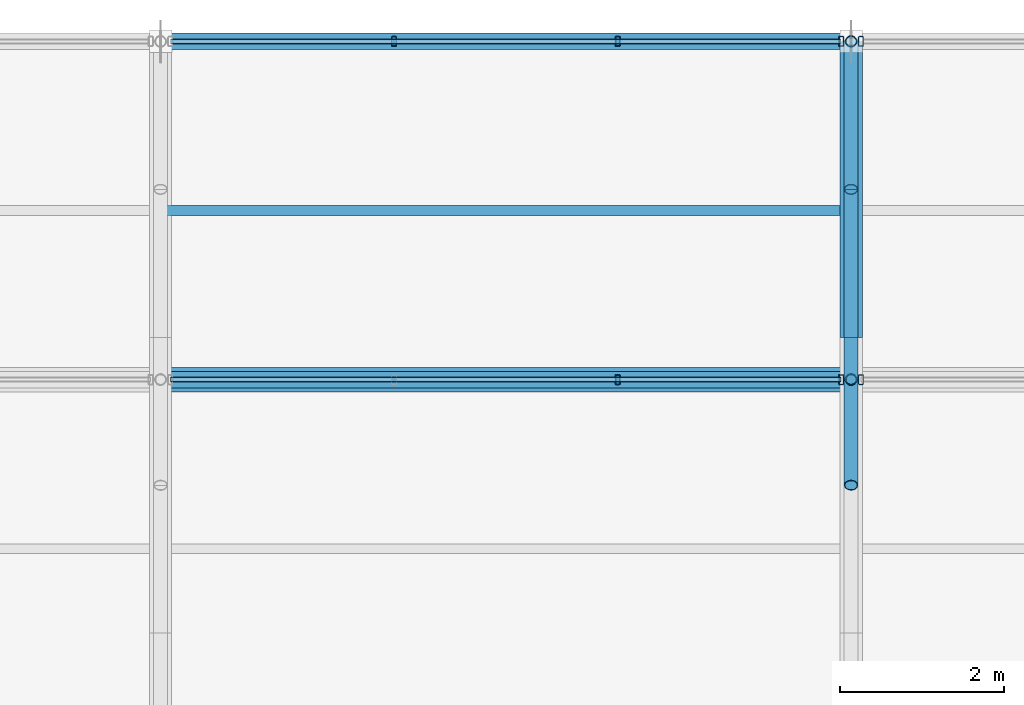
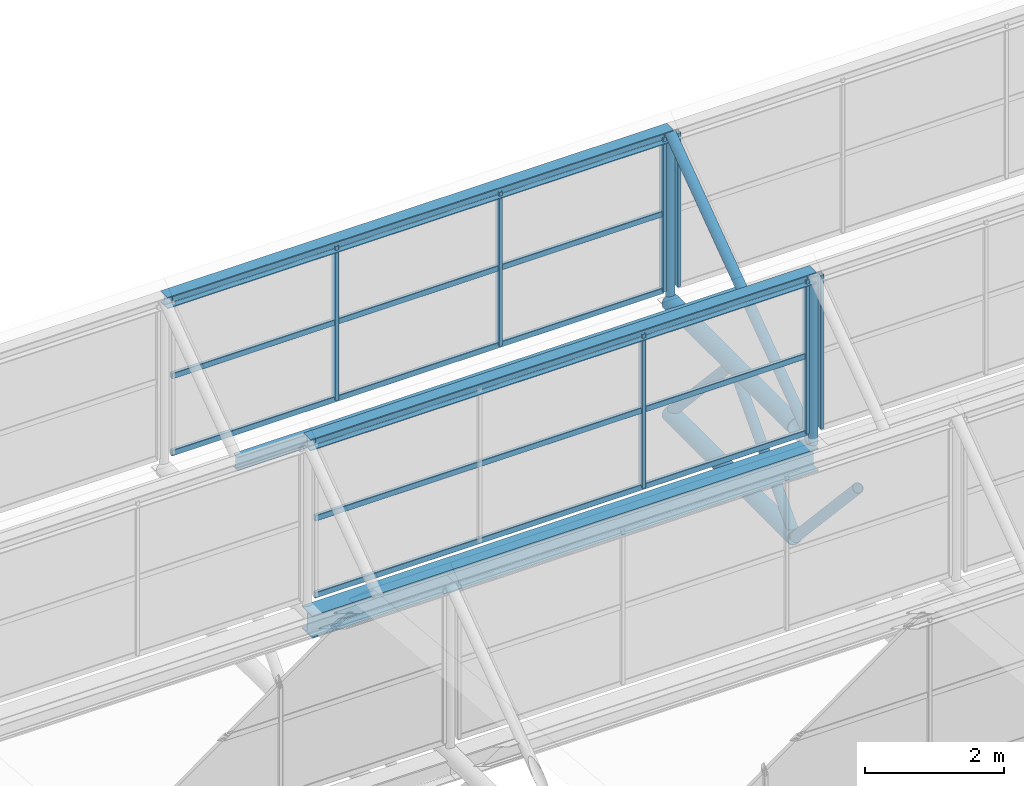
# One storey, part 69 of 134: 21 members, 4 beams, 4 elements without a shape of their own.
"""IFC4 building model written with IfcOpenShell, lengths in metres."""

import ifcopenshell
import ifcopenshell.guid

model = None  # the IFC model being written
_history = None  # IfcOwnerHistory: only IFC2X3 demands one
_inside = {}  # id of a spatial element -> (the spatial element, [elements in it])
_under = {}  # id of a project, library or spatial element -> (it, [spatial elements below it])
_declared = {}  # id of a project -> (the project, [libraries it declares])
_typed = {}  # id of a type object -> (the type object, [elements of that type])
_made_of = {}  # id of a material, layer set ... -> (it, [elements and type objects made of it])


def new_model(schema):
    """Start an empty IFC model of exactly this schema.

    Asked for "IFC4X3", IfcOpenShell would pick the latest addendum, in which some entities
    have other attributes; the version numbers below select the first issue.
    IFC2X3 requires an IfcOwnerHistory on every rooted entity: one is made here for all.
    """
    global model, _history
    if schema == "IFC4X3":
        model = ifcopenshell.file(schema_version=(4, 3, 0, 0))
    else:
        model = ifcopenshell.file(schema=schema)
    _inside.clear()
    _under.clear()
    _declared.clear()
    _typed.clear()
    _made_of.clear()
    _history = None
    if model.schema == "IFC2X3":
        org = make("IfcOrganization", Name="unknown")
        user = make(
            "IfcPersonAndOrganization",
            ThePerson=make("IfcPerson", FamilyName="unknown"),
            TheOrganization=org,
        )
        app = make(
            "IfcApplication",
            ApplicationDeveloper=org,
            Version="unknown",
            ApplicationFullName="unknown",
            ApplicationIdentifier="unknown",
        )
        _history = make(
            "IfcOwnerHistory",
            OwningUser=user,
            OwningApplication=app,
            ChangeAction="ADDED",
            CreationDate=0,
        )
    return model


def make(cls, **values):
    """One entity of the class cls with the attributes given. An attribute that is None is left unset."""
    return model.create_entity(
        cls, **{name: value for name, value in values.items() if value is not None}
    )


def rooted(cls, **values):
    """An entity with a GlobalId (a new one), such as an element, a storey or a relation."""
    return make(cls, GlobalId=ifcopenshell.guid.new(), OwnerHistory=_history, **values)


def si_unit(unit_type, name, prefix=None):
    """IfcSIUnit, for example si_unit("LENGTHUNIT", "METRE", prefix="MILLI")."""
    return make("IfcSIUnit", UnitType=unit_type, Prefix=prefix, Name=name)


def derived_unit(unit_type, elements):
    """IfcDerivedUnit: a product of units, each with its exponent."""
    return make(
        "IfcDerivedUnit",
        Elements=[
            make("IfcDerivedUnitElement", Unit=unit, Exponent=power)
            for unit, power in elements
        ],
        UnitType=unit_type,
    )


def assignment(units):
    """IfcUnitAssignment: the units of a project."""
    return None if units is None else make("IfcUnitAssignment", Units=units)


def point(xyz):
    """IfcCartesianPoint."""
    return None if xyz is None else make("IfcCartesianPoint", Coordinates=xyz)


def direction(xyz):
    """IfcDirection."""
    return None if xyz is None else make("IfcDirection", DirectionRatios=xyz)


def frame(location, z_axis=None, x_axis=None):
    """IfcAxis2Placement3D, a coordinate frame: its origin and axes. An axis left out is left unset."""
    return make(
        "IfcAxis2Placement3D",
        Location=point(location),
        Axis=direction(z_axis),
        RefDirection=direction(x_axis),
    )


def frame_2d(location, x_axis=None):
    """IfcAxis2Placement2D, a coordinate frame in the plane: its origin and x axis."""
    return make(
        "IfcAxis2Placement2D", Location=point(location), RefDirection=direction(x_axis)
    )


def origin():
    """The frame at (0, 0, 0) with its axes left unset."""
    return frame((0.0, 0.0, 0.0))


def origin_2d():
    """The frame at (0, 0) in the plane with its x axis left unset."""
    return frame_2d((0.0, 0.0))


def place(relative_to, where):
    """IfcLocalPlacement: puts the frame where relative to a parent placement (None: the world)."""
    return make(
        "IfcLocalPlacement", PlacementRelTo=relative_to, RelativePlacement=where
    )


def context(
    kind, dimensions, precision=None, world=None, true_north=None, identifier=None
):
    """IfcGeometricRepresentationContext, for example the 3D "Model" context."""
    return make(
        "IfcGeometricRepresentationContext",
        ContextIdentifier=identifier,
        ContextType=kind,
        CoordinateSpaceDimension=dimensions,
        Precision=precision,
        WorldCoordinateSystem=world,
        TrueNorth=true_north,
    )


def subcontext(parent, identifier, kind, view, scale=None):
    """IfcGeometricRepresentationSubContext, for example "Body" below "Model"."""
    return make(
        "IfcGeometricRepresentationSubContext",
        ContextIdentifier=identifier,
        ContextType=kind,
        ParentContext=parent,
        TargetScale=scale,
        TargetView=view,
    )


def project(units=None, contexts=None):
    """IfcProject with its units and contexts."""
    return rooted(
        "IfcProject",
        Name="project",
        RepresentationContexts=contexts,
        UnitsInContext=assignment(units),
    )


def spatial(cls, under=None, at=None, **own):
    """A site, building, storey or space (cls), placed at a placement, below another one or the project."""
    s = rooted(cls, ObjectPlacement=at, **own)
    if under is not None:
        _under.setdefault(under.id(), (under, []))[1].append(s)
    return s


def profile(cls, at=None, kind="AREA", **sizes):
    """A parametric profile (cls). Its sizes go by their IFC names, for example OverallWidth=200.0."""
    return make(cls, ProfileType=kind, Position=at, **sizes)


def hollow_rectangle(**sizes):
    """IfcRectangleHollowProfileDef."""
    return profile("IfcRectangleHollowProfileDef", **sizes)


def hollow_circle(**sizes):
    """IfcCircleHollowProfileDef."""
    return profile("IfcCircleHollowProfileDef", **sizes)


def i_section(**sizes):
    """IfcIShapeProfileDef."""
    return profile("IfcIShapeProfileDef", **sizes)


def extrude(swept, where, along, depth):
    """IfcExtrudedAreaSolid: the profile swept, set in the frame where, extruded along a direction by depth."""
    return make(
        "IfcExtrudedAreaSolid",
        SweptArea=swept,
        Position=where,
        ExtrudedDirection=direction(along),
        Depth=depth,
    )


def shape(context_of_items, identifier, shape_type, items):
    """IfcShapeRepresentation: the items that make up one representation, for example the "Body"."""
    return make(
        "IfcShapeRepresentation",
        ContextOfItems=context_of_items,
        RepresentationIdentifier=identifier,
        RepresentationType=shape_type,
        Items=items,
    )


def material(Name=None, Category=None):
    """IfcMaterial."""
    return make("IfcMaterial", Name=Name, Category=Category)


def material_profile(
    of_material, cross_section, Name=None, Category=None, Priority=None
):
    """IfcMaterialProfile: a cross section and its material."""
    return make(
        "IfcMaterialProfile",
        Name=Name,
        Material=of_material,
        Profile=cross_section,
        Priority=Priority,
        Category=Category,
    )


def profile_set(profiles, Name=None, composite=None):
    """IfcMaterialProfileSet."""
    return make(
        "IfcMaterialProfileSet",
        Name=Name,
        MaterialProfiles=profiles,
        CompositeProfile=composite,
    )


def made_of(thing, what):
    """Note that an element or type object is made of a material, layer set ...; save() writes the relation."""
    if what is not None:
        _made_of.setdefault(what.id(), (what, []))[1].append(thing)
    return thing


def type_object(cls, material=None, **own):
    """A type object (cls), such as IfcWallType, which elements share."""
    return made_of(rooted(cls, **own), material)


def element(
    cls,
    number,
    at=None,
    inside=None,
    cuts=None,
    type_object=None,
    material=None,
    context=None,
    identifier="Body",
    shape_type=None,
    held_by="IfcProductDefinitionShape",
    body=None,
    shapes=None,
    **own,
):
    """One element of the class cls, such as IfcWall. Its Tag is "e" and its number.

    at: its placement. inside: the storey or other place that contains it. cuts: it is an
    opening in that element (IfcRelVoidsElement). A single representation is given by context,
    identifier, shape_type and body (its items); several are given by shapes. held_by: the class
    of the entity that holds the representations. save() writes the other relations.
    """
    e = rooted(cls, Tag="e%d" % number, ObjectPlacement=at, **own)
    if body is not None:
        shapes = [shape(context, identifier, shape_type, body)]
    if shapes is not None:
        e.Representation = make(held_by, Representations=shapes)
    if inside is not None:
        _inside.setdefault(inside.id(), (inside, []))[1].append(e)
    if cuts is not None:
        rooted(
            "IfcRelVoidsElement", RelatingBuildingElement=cuts, RelatedOpeningElement=e
        )
    if type_object is not None:
        _typed.setdefault(type_object.id(), (type_object, []))[1].append(e)
    return made_of(e, material)


def aggregate(whole, parts):
    """IfcRelAggregates: a whole, such as a stair, and the parts it consists of."""
    return rooted("IfcRelAggregates", RelatingObject=whole, RelatedObjects=parts)


def save(model, path):
    """Write the relations noted so far, then the file.

    IfcRelAggregates (storeys below a building ...), IfcRelContainedInSpatialStructure (elements
    in a storey), IfcRelDefinesByType, IfcRelAssociatesMaterial and IfcRelDeclares: one each for
    every whole, place, type object, material and project.
    """
    for whole, parts in _under.values():
        aggregate(whole, parts)
    for where, things in _inside.values():
        rooted(
            "IfcRelContainedInSpatialStructure",
            RelatedElements=things,
            RelatingStructure=where,
        )
    for kind, things in _typed.values():
        rooted("IfcRelDefinesByType", RelatedObjects=things, RelatingType=kind)
    for what, things in _made_of.values():
        rooted("IfcRelAssociatesMaterial", RelatedObjects=things, RelatingMaterial=what)
    for by, libraries in _declared.values():
        rooted("IfcRelDeclares", RelatingContext=by, RelatedDefinitions=libraries)
    model.write(path)


model = new_model("IFC4")

# Units and contexts
model_context = context("Model", 3, precision=1e-05, world=origin(), true_north=direction((0.0, 1.0)))
body_context = subcontext(model_context, "Body", "Model", "MODEL_VIEW")
ifc_project = project(units=[si_unit("LENGTHUNIT", "METRE"), si_unit("AREAUNIT", "SQUARE_METRE"), si_unit("VOLUMEUNIT", "CUBIC_METRE"), si_unit("PLANEANGLEUNIT", "RADIAN"), si_unit("MASSUNIT", "GRAM", prefix="KILO"), derived_unit("THERMALTRANSMITTANCEUNIT", [(si_unit("MASSUNIT", "GRAM", prefix="KILO"), 1), (si_unit("TIMEUNIT", "SECOND"), -3), (si_unit("THERMODYNAMICTEMPERATUREUNIT", "KELVIN"), -1)])], contexts=[model_context])

# Site, building, storey
site_placement = place(None, origin())
site = spatial("IfcSite", under=ifc_project, at=site_placement, CompositionType="ELEMENT")
building_placement = place(site_placement, origin())
building = spatial("IfcBuilding", under=site, at=building_placement, Name="Kharveza Railside Sports Centre", CompositionType="ELEMENT")
storey_placement = place(building_placement, frame((0.0, 0.0, 12.89990234375)))
storey = spatial("IfcBuildingStorey", under=building, at=storey_placement, Name="L03", CompositionType="ELEMENT", Elevation=12.89990234375)

# Beams
ifc_material_1 = material(Name="Steel S355J2", Category="steel")
ifc_material_profile_1 = material_profile(ifc_material_1, i_section(OverallWidth=0.300048828125, OverallDepth=0.39990234375, WebThickness=0.013427734375, FlangeThickness=0.02392578125, FilletRadius=0.027099609375, at=origin_2d()), Name="HEB 400")
ifc_profile_set_1 = profile_set([ifc_material_profile_1], Name="Steel S355J2")
beam_type_1 = type_object("IfcBeamType", Name="BM-G07", PredefinedType="T_BEAM", material=ifc_profile_set_1)
beam_1_placement = place(storey_placement, frame((117.60009765625, 103.8857421875, 1.760009765625), z_axis=(1.0, 0.0, 0.0), x_axis=(0.0, 1.0, 0.0)))
element("IfcBeam", 1, at=beam_1_placement, inside=storey, type_object=beam_type_1, Name="BM-V2SAW-VAL-7-4", PredefinedType="T_BEAM", context=body_context, shape_type="SweptSolid", body=[
    extrude(i_section(OverallWidth=0.300048828125, OverallDepth=0.39990234375, WebThickness=0.013427734375, FlangeThickness=0.02392578125, FilletRadius=0.027099609375, at=origin_2d()), origin(), (0.0, 0.0, 1.0), 8.39990234375),
])
ifc_material_2 = material(Name="Steel S275JR", Category="steel")
ifc_material_profile_2 = material_profile(ifc_material_2, i_section(OverallWidth=0.1201171875, OverallDepth=0.239990234375, WebThickness=0.006103515625, FlangeThickness=0.009765625, FilletRadius=0.014892578125, at=origin_2d()), Name="IPE 240")
ifc_profile_set_2 = profile_set([ifc_material_profile_2], Name="Steel S275JR")
beam_type_2 = type_object("IfcBeamType", Name="BM-J01", PredefinedType="JOIST", material=ifc_profile_set_2)
beam_2_placement = place(storey_placement, frame((117.60009765625, 105.94287109375, 3.320068359375), z_axis=(1.0, 0.0, 0.0), x_axis=(0.0, 1.0, 0.0)))
element("IfcBeam", 2, at=beam_2_placement, inside=storey, type_object=beam_type_2, Name="BM-V2SAW-PUR-7-4", PredefinedType="JOIST", context=body_context, shape_type="SweptSolid", body=[
    extrude(i_section(OverallWidth=0.1201171875, OverallDepth=0.239990234375, WebThickness=0.006103515625, FlangeThickness=0.009765625, FilletRadius=0.014892578125, at=origin_2d()), origin(), (0.0, 0.0, 1.0), 8.39990234375),
])
ifc_material_profile_3 = material_profile(ifc_material_2, i_section(OverallWidth=0.199951171875, OverallDepth=0.199951171875, WebThickness=0.009033203125, FlangeThickness=0.014892578125, FilletRadius=0.01806640625, at=origin_2d()), Name="HEB 200")
ifc_profile_set_3 = profile_set([ifc_material_profile_3], Name="Steel S275JR")
beam_type_3 = type_object("IfcBeamType", Name="BM-J05", PredefinedType="JOIST", material=ifc_profile_set_3)
for number, where, z_axis, x_axis, name in (
    (3, (117.60009765625, 103.8857421875, 4.920166015625), (1.0, 0.0, 0.0), (0.0, 1.0, 0.0), "BM-V2SAW-RDG-6-4"),
    (4, (117.60009765625, 108.0, 4.920166015625), (1.0, 0.0, 0.0), (0.0, 1.0, 0.0), "BM-V2SAW-RDG-7-4"),
):
    element("IfcBeam", number, at=place(storey_placement, frame(where, z_axis=z_axis, x_axis=x_axis)), inside=storey, type_object=beam_type_3, Name=name, PredefinedType="JOIST", context=body_context, shape_type="SweptSolid", body=[
        extrude(i_section(OverallWidth=0.199951171875, OverallDepth=0.199951171875, WebThickness=0.009033203125, FlangeThickness=0.014892578125, FilletRadius=0.01806640625, at=origin_2d()), origin(), (0.0, 0.0, 1.0), 8.39990234375),
    ])

# Curtain wall, members
ifc_material_3 = material(Name="Low-E solar-control laminated glass", Category="glass")
curtain_wall_type = type_object("IfcCurtainWallType", Name="CW-NL02", PredefinedType="NOTDEFINED", material=ifc_material_3)
curtain_wall_1_placement = place(storey_placement, origin())
curtain_wall_1 = element("IfcCurtainWall", 5, at=curtain_wall_1_placement, inside=storey, type_object=curtain_wall_type, Name="CW-V2NL-6-4", PredefinedType="NOTDEFINED")
ifc_material_4 = material(Name="Anodised aluminium 6063-T6", Category="aluminium")
ifc_material_profile_4 = material_profile(ifc_material_4, hollow_rectangle(XDim=0.06005859375, YDim=0.1201171875, WallThickness=0.0048828125, InnerFilletRadius=0.0048828125, OuterFilletRadius=0.010009765625, at=origin_2d()), Name="RHS 60x120x5.0")
ifc_profile_set_4 = profile_set([ifc_material_profile_4], Name="Anodised aluminium 6063-T6")
member_type_1 = type_object("IfcMemberType", Name="CW-ML05", PredefinedType="MULLION", material=ifc_profile_set_4)
member_1_placement = place(storey_placement, frame((123.159912109375, 103.8857421875, 2.2001953125), z_axis=(0.0, 0.0, 1.0), x_axis=(1.0, 0.0, 0.0)))
member_1 = element("IfcMember", 6, at=member_1_placement, type_object=member_type_1, Name="CW-V2NL-6-4-ML3", PredefinedType="MULLION", context=body_context, shape_type="SweptSolid", body=[
    extrude(hollow_rectangle(XDim=0.06005859375, YDim=0.1201171875, WallThickness=0.0048828125, InnerFilletRadius=0.0048828125, OuterFilletRadius=0.010009765625, at=origin_2d()), origin(), (0.0, 0.0, 1.0), 2.699951171875),
])
member_2_placement = place(storey_placement, frame((125.8798828125, 103.8857421875, 2.2001953125), z_axis=(0.0, 0.0, 1.0), x_axis=(1.0, 0.0, 0.0)))
member_2 = element("IfcMember", 7, at=member_2_placement, type_object=member_type_1, Name="CW-V2NL-6-4-ML4", PredefinedType="MULLION", context=body_context, shape_type="SweptSolid", body=[
    extrude(hollow_rectangle(XDim=0.06005859375, YDim=0.1201171875, WallThickness=0.0048828125, InnerFilletRadius=0.0048828125, OuterFilletRadius=0.010009765625, at=origin_2d()), origin(), (0.0, 0.0, 1.0), 2.699951171875),
])

# Curtain wall, member
curtain_wall_2_placement = place(storey_placement, origin())
curtain_wall_2 = element("IfcCurtainWall", 8, at=curtain_wall_2_placement, inside=storey, type_object=curtain_wall_type, Name="CW-V2NL-6-5", PredefinedType="NOTDEFINED")
member_3_placement = place(storey_placement, frame((126.1201171875, 103.8857421875, 2.2001953125), z_axis=(0.0, 0.0, 1.0), x_axis=(1.0, 0.0, 0.0)))
member_3 = element("IfcMember", 9, at=member_3_placement, type_object=member_type_1, Name="CW-V2NL-6-5-ML1", PredefinedType="MULLION", context=body_context, shape_type="SweptSolid", body=[
    extrude(hollow_rectangle(XDim=0.06005859375, YDim=0.1201171875, WallThickness=0.0048828125, InnerFilletRadius=0.0048828125, OuterFilletRadius=0.010009765625, at=origin_2d()), origin(), (0.0, 0.0, 1.0), 2.699951171875),
])
aggregate(curtain_wall_2, [member_3])

# Curtain wall, members
curtain_wall_3_placement = place(storey_placement, origin())
curtain_wall_3 = element("IfcCurtainWall", 10, at=curtain_wall_3_placement, inside=storey, type_object=curtain_wall_type, Name="CW-V2NL-7-4", PredefinedType="NOTDEFINED")
member_4_placement = place(storey_placement, frame((120.43994140625, 108.0, 2.2001953125), z_axis=(0.0, 0.0, 1.0), x_axis=(1.0, 0.0, 0.0)))
member_4 = element("IfcMember", 11, at=member_4_placement, type_object=member_type_1, Name="CW-V2NL-7-4-ML2", PredefinedType="MULLION", context=body_context, shape_type="SweptSolid", body=[
    extrude(hollow_rectangle(XDim=0.06005859375, YDim=0.1201171875, WallThickness=0.0048828125, InnerFilletRadius=0.0048828125, OuterFilletRadius=0.010009765625, at=origin_2d()), origin(), (0.0, 0.0, 1.0), 2.699951171875),
])
member_5_placement = place(storey_placement, frame((123.159912109375, 108.0, 2.2001953125), z_axis=(0.0, 0.0, 1.0), x_axis=(1.0, 0.0, 0.0)))
member_5 = element("IfcMember", 12, at=member_5_placement, type_object=member_type_1, Name="CW-V2NL-7-4-ML3", PredefinedType="MULLION", context=body_context, shape_type="SweptSolid", body=[
    extrude(hollow_rectangle(XDim=0.06005859375, YDim=0.1201171875, WallThickness=0.0048828125, InnerFilletRadius=0.0048828125, OuterFilletRadius=0.010009765625, at=origin_2d()), origin(), (0.0, 0.0, 1.0), 2.699951171875),
])
member_6_placement = place(storey_placement, frame((125.8798828125, 108.0, 2.2001953125), z_axis=(0.0, 0.0, 1.0), x_axis=(1.0, 0.0, 0.0)))
member_6 = element("IfcMember", 13, at=member_6_placement, type_object=member_type_1, Name="CW-V2NL-7-4-ML4", PredefinedType="MULLION", context=body_context, shape_type="SweptSolid", body=[
    extrude(hollow_rectangle(XDim=0.06005859375, YDim=0.1201171875, WallThickness=0.0048828125, InnerFilletRadius=0.0048828125, OuterFilletRadius=0.010009765625, at=origin_2d()), origin(), (0.0, 0.0, 1.0), 2.699951171875),
])

# Curtain wall, member
curtain_wall_4_placement = place(storey_placement, origin())
curtain_wall_4 = element("IfcCurtainWall", 14, at=curtain_wall_4_placement, inside=storey, type_object=curtain_wall_type, Name="CW-V2NL-7-5", PredefinedType="NOTDEFINED")
member_7_placement = place(storey_placement, frame((126.1201171875, 108.0, 2.2001953125), z_axis=(0.0, 0.0, 1.0), x_axis=(1.0, 0.0, 0.0)))
member_7 = element("IfcMember", 15, at=member_7_placement, type_object=member_type_1, Name="CW-V2NL-7-5-ML1", PredefinedType="MULLION", context=body_context, shape_type="SweptSolid", body=[
    extrude(hollow_rectangle(XDim=0.06005859375, YDim=0.1201171875, WallThickness=0.0048828125, InnerFilletRadius=0.0048828125, OuterFilletRadius=0.010009765625, at=origin_2d()), origin(), (0.0, 0.0, 1.0), 2.699951171875),
])
aggregate(curtain_wall_4, [member_7])

# Member
ifc_material_profile_5 = material_profile(ifc_material_4, hollow_rectangle(XDim=0.06005859375, YDim=0.10009765625, WallThickness=0.00390625, InnerFilletRadius=0.00390625, OuterFilletRadius=0.008056640625, at=origin_2d()), Name="RHS 60x100x4.0")
ifc_profile_set_5 = profile_set([ifc_material_profile_5], Name="Anodised aluminium 6063-T6")
member_type_2 = type_object("IfcMemberType", Name="CW-TR05", PredefinedType="USERDEFINED", material=ifc_profile_set_5)
member_8_placement = place(storey_placement, frame((117.719970703125, 103.8857421875, 2.2001953125), z_axis=(1.0, 0.0, 0.0), x_axis=(0.0, 1.0, 0.0)))
member_8 = element("IfcMember", 16, at=member_8_placement, type_object=member_type_2, Name="CW-V2NL-6-4-TR1", ObjectType="TRANSOM", PredefinedType="USERDEFINED", context=body_context, shape_type="SweptSolid", body=[
    extrude(hollow_rectangle(XDim=0.06005859375, YDim=0.10009765625, WallThickness=0.00390625, InnerFilletRadius=0.00390625, OuterFilletRadius=0.008056640625, at=origin_2d()), origin(), (0.0, 0.0, 1.0), 8.159912109375),
])

member_9_placement = place(storey_placement, frame((117.719970703125, 103.8857421875, 3.550048828125), z_axis=(1.0, 0.0, 0.0), x_axis=(0.0, 1.0, 0.0)))
member_9 = element("IfcMember", 17, at=member_9_placement, type_object=member_type_2, Name="CW-V2NL-6-4-TR2", ObjectType="TRANSOM", PredefinedType="USERDEFINED", context=body_context, shape_type="SweptSolid", body=[
    extrude(hollow_rectangle(XDim=0.06005859375, YDim=0.10009765625, WallThickness=0.00390625, InnerFilletRadius=0.00390625, OuterFilletRadius=0.008056640625, at=origin_2d()), origin(), (0.0, 0.0, 1.0), 8.159912109375),
])

member_10_placement = place(storey_placement, frame((117.719970703125, 103.8857421875, 4.900146484375), z_axis=(1.0, 0.0, 0.0), x_axis=(0.0, 1.0, 0.0)))
member_10 = element("IfcMember", 18, at=member_10_placement, type_object=member_type_2, Name="CW-V2NL-6-4-TR3", ObjectType="TRANSOM", PredefinedType="USERDEFINED", context=body_context, shape_type="SweptSolid", body=[
    extrude(hollow_rectangle(XDim=0.06005859375, YDim=0.10009765625, WallThickness=0.00390625, InnerFilletRadius=0.00390625, OuterFilletRadius=0.008056640625, at=origin_2d()), origin(), (0.0, 0.0, 1.0), 8.159912109375),
])

aggregate(curtain_wall_1, [member_1, member_2, member_8, member_9, member_10])

member_11_placement = place(storey_placement, frame((117.719970703125, 108.0, 2.2001953125), z_axis=(1.0, 0.0, 0.0), x_axis=(0.0, 1.0, 0.0)))
member_11 = element("IfcMember", 19, at=member_11_placement, type_object=member_type_2, Name="CW-V2NL-7-4-TR1", ObjectType="TRANSOM", PredefinedType="USERDEFINED", context=body_context, shape_type="SweptSolid", body=[
    extrude(hollow_rectangle(XDim=0.06005859375, YDim=0.10009765625, WallThickness=0.00390625, InnerFilletRadius=0.00390625, OuterFilletRadius=0.008056640625, at=origin_2d()), origin(), (0.0, 0.0, 1.0), 8.159912109375),
])

member_12_placement = place(storey_placement, frame((117.719970703125, 108.0, 3.550048828125), z_axis=(1.0, 0.0, 0.0), x_axis=(0.0, 1.0, 0.0)))
member_12 = element("IfcMember", 20, at=member_12_placement, type_object=member_type_2, Name="CW-V2NL-7-4-TR2", ObjectType="TRANSOM", PredefinedType="USERDEFINED", context=body_context, shape_type="SweptSolid", body=[
    extrude(hollow_rectangle(XDim=0.06005859375, YDim=0.10009765625, WallThickness=0.00390625, InnerFilletRadius=0.00390625, OuterFilletRadius=0.008056640625, at=origin_2d()), origin(), (0.0, 0.0, 1.0), 8.159912109375),
])

member_13_placement = place(storey_placement, frame((117.719970703125, 108.0, 4.900146484375), z_axis=(1.0, 0.0, 0.0), x_axis=(0.0, 1.0, 0.0)))
member_13 = element("IfcMember", 21, at=member_13_placement, type_object=member_type_2, Name="CW-V2NL-7-4-TR3", ObjectType="TRANSOM", PredefinedType="USERDEFINED", context=body_context, shape_type="SweptSolid", body=[
    extrude(hollow_rectangle(XDim=0.06005859375, YDim=0.10009765625, WallThickness=0.00390625, InnerFilletRadius=0.00390625, OuterFilletRadius=0.008056640625, at=origin_2d()), origin(), (0.0, 0.0, 1.0), 8.159912109375),
])

aggregate(curtain_wall_3, [member_4, member_5, member_6, member_11, member_12, member_13])

# Members
ifc_material_profile_6 = material_profile(ifc_material_1, hollow_circle(Radius=0.136474609375, WallThickness=0.01416015625, at=origin_2d()), Name="CHS 273.0x14.2")
ifc_profile_set_6 = profile_set([ifc_material_profile_6], Name="Steel S355J2")
member_type_3 = type_object("IfcMemberType", Name="MB-CH03", PredefinedType="CHORD", material=ifc_profile_set_6)
for number, where, z_axis, x_axis, name in (
    (22, (126.0, 104.39990234375, 0.0), (0.0, 1.0, 0.0), (-1.0, 0.0, 0.0), "MB-V2TR-BC-5-8"),
    (23, (126.0, 104.39990234375, 1.9501953125), (0.0, 1.0, 0.0), (-1.0, 0.0, 0.0), "MB-V2TR-TC-5-8"),
):
    element("IfcMember", number, at=place(storey_placement, frame(where, z_axis=z_axis, x_axis=x_axis)), inside=storey, type_object=member_type_3, Name=name, PredefinedType="CHORD", context=body_context, shape_type="SweptSolid", body=[
        extrude(hollow_circle(Radius=0.136474609375, WallThickness=0.01416015625, at=origin_2d()), origin(), (0.0, 0.0, 1.0), 3.60009765625),
    ])
ifc_material_profile_7 = material_profile(ifc_material_1, hollow_circle(Radius=0.084228515625, WallThickness=0.010009765625, at=origin_2d()), Name="CHS 168.3x10.0")
ifc_profile_set_7 = profile_set([ifc_material_profile_7], Name="Steel S355J2")
member_type_4 = type_object("IfcMemberType", Name="MB-ST03", PredefinedType="STRUT", material=ifc_profile_set_7)
member_14_placement = place(storey_placement, frame((126.0, 102.60009765625, 1.9501953125), z_axis=(0.0, 0.678203679629, -0.734873981671), x_axis=(-1.0, 0.0, 0.0)))
element("IfcMember", 24, at=member_14_placement, inside=storey, type_object=member_type_4, Name="MB-V2TR-D2-5-7", PredefinedType="STRUT", context=body_context, shape_type="SweptSolid", body=[
    extrude(hollow_circle(Radius=0.084228515625, WallThickness=0.010009765625, at=origin_2d()), origin(), (0.0, 0.0, 1.0), 2.65380859375),
])
for number, where, z_axis, x_axis, name in (
    (25, (126.0, 104.39990234375, 0.0), (0.0, 0.67825335715, 0.734828131956), (-1.0, 0.0, 0.0), "MB-V2TR-D1-5-8"),
    (26, (126.0, 106.199951171875, 1.9501953125), (0.0, 0.67825335715, -0.734828131956), (-1.0, 0.0, 0.0), "MB-V2TR-D2-5-8"),
):
    element("IfcMember", number, at=place(storey_placement, frame(where, z_axis=z_axis, x_axis=x_axis)), inside=storey, type_object=member_type_4, Name=name, PredefinedType="STRUT", context=body_context, shape_type="SweptSolid", body=[
        extrude(hollow_circle(Radius=0.084228515625, WallThickness=0.010009765625, at=origin_2d()), origin(), (0.0, 0.0, 1.0), 2.654052734375),
    ])
member_15_placement = place(storey_placement, frame((126.0, 103.8857421875, 1.9501953125), z_axis=(0.0, 0.810813691418, 0.585304329225), x_axis=(-1.0, 0.0, 0.0)))
element("IfcMember", 27, at=member_15_placement, inside=storey, type_object=member_type_4, Name="MB-V2SAW-RFT-7-5", PredefinedType="STRUT", context=body_context, shape_type="SweptSolid", body=[
    extrude(hollow_circle(Radius=0.084228515625, WallThickness=0.010009765625, at=origin_2d()), origin(), (0.0, 0.0, 1.0), 5.07421875),
])
ifc_material_profile_8 = material_profile(ifc_material_1, hollow_circle(Radius=0.06982421875, WallThickness=0.008056640625, at=origin_2d()), Name="CHS 139.7x8.0")
ifc_profile_set_8 = profile_set([ifc_material_profile_8], Name="Steel S355J2")
member_type_5 = type_object("IfcMemberType", Name="MB-ST04", PredefinedType="STRUT", material=ifc_profile_set_8)
for number, where, z_axis, x_axis, name in (
    (28, (126.0, 103.8857421875, 1.9501953125), (0.0, 0.0, 1.0), (1.0, 0.0, 0.0), "MB-V2SAW-PST-6-5"),
    (29, (126.0, 108.0, 1.9501953125), (0.0, 0.0, 1.0), (1.0, 0.0, 0.0), "MB-V2SAW-PST-7-5"),
):
    element("IfcMember", number, at=place(storey_placement, frame(where, z_axis=z_axis, x_axis=x_axis)), inside=storey, type_object=member_type_5, Name=name, PredefinedType="STRUT", context=body_context, shape_type="SweptSolid", body=[
        extrude(hollow_circle(Radius=0.06982421875, WallThickness=0.008056640625, at=origin_2d()), origin(), (0.0, 0.0, 1.0), 2.969970703125),
    ])

save(model, "model.ifc")
